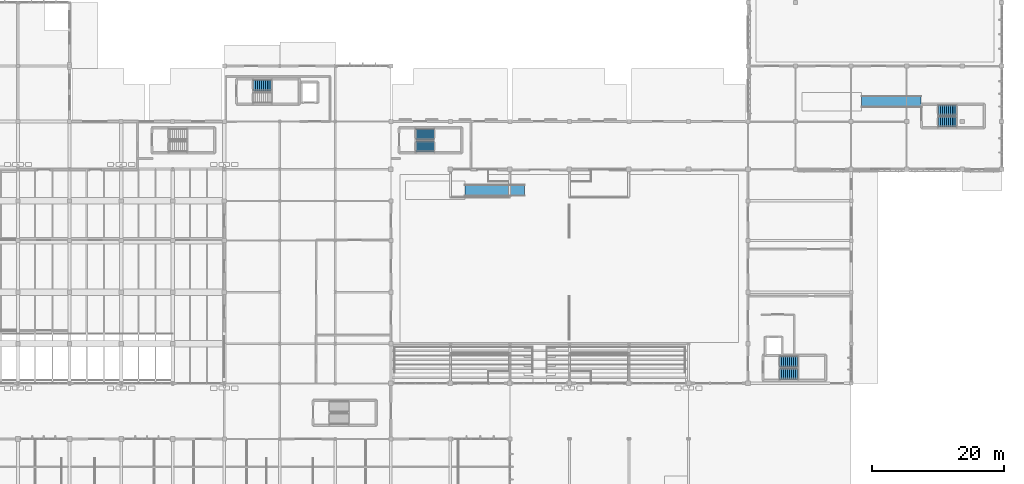
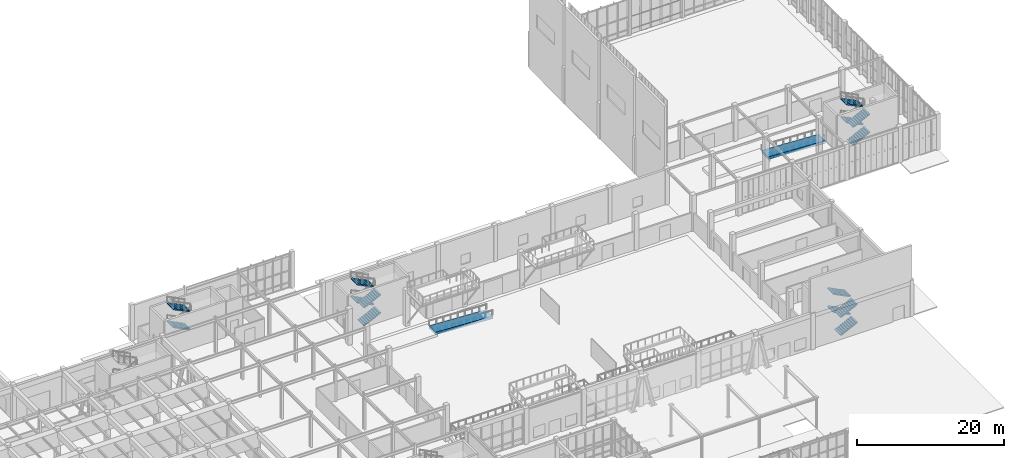
# One storey, part 85 of 110: 14 stair flights, 2 ramp flights, 6 elements without a shape of their own.
"""IFC4 building model written with IfcOpenShell, lengths in metres."""

from ifc_helpers import new_model, si_unit, direction, frame, origin, place, context, subcontext, project, spatial, polyline, outline, extrude, material, layer, layer_set, type_object, element, aggregate, save


model = new_model("IFC4")

# Units and contexts
model_context = context("Model", 3, precision=1e-05, world=origin(), true_north=direction((0.0, 1.0)))
body_context = subcontext(model_context, "Body", "Model", "MODEL_VIEW")
ifc_project = project(units=[si_unit("LENGTHUNIT", "METRE"), si_unit("AREAUNIT", "SQUARE_METRE"), si_unit("VOLUMEUNIT", "CUBIC_METRE"), si_unit("PLANEANGLEUNIT", "RADIAN"), si_unit("MASSUNIT", "GRAM", prefix="KILO")], contexts=[model_context])

# Site, building, storey
site_placement = place(None, origin())
site = spatial("IfcSite", under=ifc_project, at=site_placement, CompositionType="ELEMENT")
building_placement = place(site_placement, origin())
building = spatial("IfcBuilding", under=site, at=building_placement, Name="Tizgana Railside Sports Hall", CompositionType="ELEMENT")
storey_placement = place(building_placement, origin())
storey = spatial("IfcBuildingStorey", under=building, at=storey_placement, Name="L00", CompositionType="ELEMENT", Elevation=0.0)

# Stair, stair flights
ifc_material = material(Name="Concrete C35/45", Category="concrete")
stair_type_1 = type_object("IfcStairType", Name="Core Protected Stair 1500", PredefinedType="HALF_TURN_STAIR", material=ifc_material)
stair_1_placement = place(storey_placement, origin())
stair_1 = element("IfcStair", 1, at=stair_1_placement, inside=storey, type_object=stair_type_1, Name="L00 Core Stair ST-05", PredefinedType="HALF_TURN_STAIR")
stair_flight_type_1 = type_object("IfcStairFlightType", Name="Core Stair Flight 1500", PredefinedType="STRAIGHT", material=ifc_material)
stair_flight_1_placement = place(storey_placement, frame((138.60009765625, 42.22509765625, 0.0), z_axis=(0.0, 0.0, 1.0), x_axis=(1.0, 0.0, 0.0)))
stair_flight_1 = element("IfcStairFlight", 2, at=stair_flight_1_placement, type_object=stair_flight_type_1, Name="ST-05 flight 1", NumberOfRisers=10, NumberOfTreads=9, PredefinedType="STRAIGHT", RiserHeight=0.15, TreadLength=0.3, context=body_context, shape_type="SweptSolid", body=[
    extrude(outline(polyline([(0.0, 0.0), (0.0, 0.14990234375), (0.300048828125, 0.14990234375), (0.300048828125, 0.300048828125), (0.60009765625, 0.300048828125), (0.60009765625, 0.449951171875), (0.89990234375, 0.449951171875), (0.89990234375, 0.60009765625), (1.199951171875, 0.60009765625), (1.199951171875, 0.75), (1.5, 0.75), (1.5, 0.89990234375), (1.800048828125, 0.89990234375), (1.800048828125, 1.050048828125), (2.10009765625, 1.050048828125), (2.10009765625, 1.199951171875), (2.39990234375, 1.199951171875), (2.39990234375, 1.35009765625), (2.699951171875, 1.35009765625), (2.699951171875, 1.5), (2.699951171875, 1.182373046875), (0.335205078125, 0.0), (0.0, 0.0)])), frame((0.0, 0.824951171875, 0.0), z_axis=(0.0, -1.0, 0.0), x_axis=(1.0, 0.0, 0.0)), (0.0, 0.0, 1.0), 1.64990234375),
])
stair_flight_2_placement = place(storey_placement, frame((141.300048828125, 44.074951171875, 1.5), z_axis=(0.0, 0.0, 1.0), x_axis=(-1.0, 0.0, 0.0)))
stair_flight_2 = element("IfcStairFlight", 3, at=stair_flight_2_placement, type_object=stair_flight_type_1, Name="ST-05 flight 2", NumberOfRisers=10, NumberOfTreads=9, PredefinedType="STRAIGHT", RiserHeight=0.15, TreadLength=0.3, context=body_context, shape_type="SweptSolid", body=[
    extrude(outline(polyline([(0.0, 0.0), (0.0, 0.14990234375), (0.300048828125, 0.14990234375), (0.300048828125, 0.300048828125), (0.60009765625, 0.300048828125), (0.60009765625, 0.449951171875), (0.89990234375, 0.449951171875), (0.89990234375, 0.60009765625), (1.199951171875, 0.60009765625), (1.199951171875, 0.75), (1.5, 0.75), (1.5, 0.89990234375), (1.800048828125, 0.89990234375), (1.800048828125, 1.050048828125), (2.10009765625, 1.050048828125), (2.10009765625, 1.199951171875), (2.39990234375, 1.199951171875), (2.39990234375, 1.35009765625), (2.699951171875, 1.35009765625), (2.699951171875, 1.5), (2.699951171875, 1.182373046875), (0.335205078125, 0.0), (0.0, 0.0)])), frame((0.0, 0.824951171875, 0.0), z_axis=(0.0, -1.0, 0.0), x_axis=(1.0, 0.0, 0.0)), (0.0, 0.0, 1.0), 1.64990234375),
])
stair_flight_3_placement = place(storey_placement, frame((138.60009765625, 42.22509765625, 3.0), z_axis=(0.0, 0.0, 1.0), x_axis=(1.0, 0.0, 0.0)))
stair_flight_3 = element("IfcStairFlight", 4, at=stair_flight_3_placement, type_object=stair_flight_type_1, Name="ST-05 flight 3", NumberOfRisers=10, NumberOfTreads=9, PredefinedType="STRAIGHT", RiserHeight=0.15, TreadLength=0.3, context=body_context, shape_type="SweptSolid", body=[
    extrude(outline(polyline([(0.0, 0.0), (0.0, 0.14990234375), (0.300048828125, 0.14990234375), (0.300048828125, 0.300048828125), (0.60009765625, 0.300048828125), (0.60009765625, 0.449951171875), (0.89990234375, 0.449951171875), (0.89990234375, 0.60009765625), (1.199951171875, 0.60009765625), (1.199951171875, 0.75), (1.5, 0.75), (1.5, 0.89990234375), (1.800048828125, 0.89990234375), (1.800048828125, 1.050048828125), (2.10009765625, 1.050048828125), (2.10009765625, 1.199951171875), (2.39990234375, 1.199951171875), (2.39990234375, 1.35009765625), (2.699951171875, 1.35009765625), (2.699951171875, 1.5), (2.699951171875, 1.182373046875), (0.335205078125, 0.0), (0.0, 0.0)])), frame((0.0, 0.824951171875, 0.0), z_axis=(0.0, -1.0, 0.0), x_axis=(1.0, 0.0, 0.0)), (0.0, 0.0, 1.0), 1.64990234375),
])
stair_flight_4_placement = place(storey_placement, frame((141.300048828125, 44.074951171875, 4.5), z_axis=(0.0, 0.0, 1.0), x_axis=(-1.0, 0.0, 0.0)))
stair_flight_4 = element("IfcStairFlight", 5, at=stair_flight_4_placement, type_object=stair_flight_type_1, Name="ST-05 flight 4", NumberOfRisers=10, NumberOfTreads=9, PredefinedType="STRAIGHT", RiserHeight=0.15, TreadLength=0.3, context=body_context, shape_type="SweptSolid", body=[
    extrude(outline(polyline([(0.0, 0.0), (0.0, 0.14990234375), (0.300048828125, 0.14990234375), (0.300048828125, 0.300048828125), (0.60009765625, 0.300048828125), (0.60009765625, 0.449951171875), (0.89990234375, 0.449951171875), (0.89990234375, 0.60009765625), (1.199951171875, 0.60009765625), (1.199951171875, 0.75), (1.5, 0.75), (1.5, 0.89990234375), (1.800048828125, 0.89990234375), (1.800048828125, 1.050048828125), (2.10009765625, 1.050048828125), (2.10009765625, 1.199951171875), (2.39990234375, 1.199951171875), (2.39990234375, 1.35009765625), (2.699951171875, 1.35009765625), (2.699951171875, 1.5), (2.699951171875, 1.182373046875), (0.335205078125, 0.0), (0.0, 0.0)])), frame((0.0, 0.824951171875, 0.0), z_axis=(0.0, -1.0, 0.0), x_axis=(1.0, 0.0, 0.0)), (0.0, 0.0, 1.0), 1.64990234375),
])
aggregate(stair_1, [stair_flight_1, stair_flight_2, stair_flight_3, stair_flight_4])

stair_2_placement = place(storey_placement, origin())
stair_2 = element("IfcStair", 6, at=stair_2_placement, inside=storey, type_object=stair_type_1, Name="L00 Core Stair ST-09", PredefinedType="HALF_TURN_STAIR")
stair_flight_5_placement = place(storey_placement, frame((162.60009765625, 80.375, 0.0), z_axis=(0.0, 0.0, 1.0), x_axis=(1.0, 0.0, 0.0)))
stair_flight_5 = element("IfcStairFlight", 7, at=stair_flight_5_placement, type_object=stair_flight_type_1, Name="ST-09 flight 1", NumberOfRisers=10, NumberOfTreads=9, PredefinedType="STRAIGHT", RiserHeight=0.15, TreadLength=0.3, context=body_context, shape_type="SweptSolid", body=[
    extrude(outline(polyline([(0.0, 0.0), (0.0, 0.14990234375), (0.300048828125, 0.14990234375), (0.300048828125, 0.300048828125), (0.60009765625, 0.300048828125), (0.60009765625, 0.449951171875), (0.89990234375, 0.449951171875), (0.89990234375, 0.60009765625), (1.199951171875, 0.60009765625), (1.199951171875, 0.75), (1.5, 0.75), (1.5, 0.89990234375), (1.800048828125, 0.89990234375), (1.800048828125, 1.050048828125), (2.10009765625, 1.050048828125), (2.10009765625, 1.199951171875), (2.39990234375, 1.199951171875), (2.39990234375, 1.35009765625), (2.699951171875, 1.35009765625), (2.699951171875, 1.5), (2.699951171875, 1.182373046875), (0.335205078125, 0.0), (0.0, 0.0)])), frame((0.0, 0.77490234375, 0.0), z_axis=(0.0, -1.0, 0.0), x_axis=(1.0, 0.0, 0.0)), (0.0, 0.0, 1.0), 1.550048828125),
])
stair_flight_6_placement = place(storey_placement, frame((165.300048828125, 82.125, 1.5), z_axis=(0.0, 0.0, 1.0), x_axis=(-1.0, 0.0, 0.0)))
stair_flight_6 = element("IfcStairFlight", 8, at=stair_flight_6_placement, type_object=stair_flight_type_1, Name="ST-09 flight 2", NumberOfRisers=10, NumberOfTreads=9, PredefinedType="STRAIGHT", RiserHeight=0.15, TreadLength=0.3, context=body_context, shape_type="SweptSolid", body=[
    extrude(outline(polyline([(0.0, 0.0), (0.0, 0.14990234375), (0.300048828125, 0.14990234375), (0.300048828125, 0.300048828125), (0.60009765625, 0.300048828125), (0.60009765625, 0.449951171875), (0.89990234375, 0.449951171875), (0.89990234375, 0.60009765625), (1.199951171875, 0.60009765625), (1.199951171875, 0.75), (1.5, 0.75), (1.5, 0.89990234375), (1.800048828125, 0.89990234375), (1.800048828125, 1.050048828125), (2.10009765625, 1.050048828125), (2.10009765625, 1.199951171875), (2.39990234375, 1.199951171875), (2.39990234375, 1.35009765625), (2.699951171875, 1.35009765625), (2.699951171875, 1.5), (2.699951171875, 1.182373046875), (0.335205078125, 0.0), (0.0, 0.0)])), frame((0.0, 0.77490234375, 0.0), z_axis=(0.0, -1.0, 0.0), x_axis=(1.0, 0.0, 0.0)), (0.0, 0.0, 1.0), 1.550048828125),
])
stair_flight_7_placement = place(storey_placement, frame((162.60009765625, 80.375, 3.0), z_axis=(0.0, 0.0, 1.0), x_axis=(1.0, 0.0, 0.0)))
stair_flight_7 = element("IfcStairFlight", 9, at=stair_flight_7_placement, type_object=stair_flight_type_1, Name="ST-09 flight 3", NumberOfRisers=10, NumberOfTreads=9, PredefinedType="STRAIGHT", RiserHeight=0.15, TreadLength=0.3, context=body_context, shape_type="SweptSolid", body=[
    extrude(outline(polyline([(0.0, 0.0), (0.0, 0.14990234375), (0.300048828125, 0.14990234375), (0.300048828125, 0.300048828125), (0.60009765625, 0.300048828125), (0.60009765625, 0.449951171875), (0.89990234375, 0.449951171875), (0.89990234375, 0.60009765625), (1.199951171875, 0.60009765625), (1.199951171875, 0.75), (1.5, 0.75), (1.5, 0.89990234375), (1.800048828125, 0.89990234375), (1.800048828125, 1.050048828125), (2.10009765625, 1.050048828125), (2.10009765625, 1.199951171875), (2.39990234375, 1.199951171875), (2.39990234375, 1.35009765625), (2.699951171875, 1.35009765625), (2.699951171875, 1.5), (2.699951171875, 1.182373046875), (0.335205078125, 0.0), (0.0, 0.0)])), frame((0.0, 0.77490234375, 0.0), z_axis=(0.0, -1.0, 0.0), x_axis=(1.0, 0.0, 0.0)), (0.0, 0.0, 1.0), 1.550048828125),
])
stair_flight_8_placement = place(storey_placement, frame((165.300048828125, 82.125, 4.5), z_axis=(0.0, 0.0, 1.0), x_axis=(-1.0, 0.0, 0.0)))
stair_flight_8 = element("IfcStairFlight", 10, at=stair_flight_8_placement, type_object=stair_flight_type_1, Name="ST-09 flight 4", NumberOfRisers=10, NumberOfTreads=9, PredefinedType="STRAIGHT", RiserHeight=0.15, TreadLength=0.3, context=body_context, shape_type="SweptSolid", body=[
    extrude(outline(polyline([(0.0, 0.0), (0.0, 0.14990234375), (0.300048828125, 0.14990234375), (0.300048828125, 0.300048828125), (0.60009765625, 0.300048828125), (0.60009765625, 0.449951171875), (0.89990234375, 0.449951171875), (0.89990234375, 0.60009765625), (1.199951171875, 0.60009765625), (1.199951171875, 0.75), (1.5, 0.75), (1.5, 0.89990234375), (1.800048828125, 0.89990234375), (1.800048828125, 1.050048828125), (2.10009765625, 1.050048828125), (2.10009765625, 1.199951171875), (2.39990234375, 1.199951171875), (2.39990234375, 1.35009765625), (2.699951171875, 1.35009765625), (2.699951171875, 1.5), (2.699951171875, 1.182373046875), (0.335205078125, 0.0), (0.0, 0.0)])), frame((0.0, 0.77490234375, 0.0), z_axis=(0.0, -1.0, 0.0), x_axis=(1.0, 0.0, 0.0)), (0.0, 0.0, 1.0), 1.550048828125),
])
aggregate(stair_2, [stair_flight_5, stair_flight_6, stair_flight_7, stair_flight_8])

stair_type_2 = type_object("IfcStairType", Name="Concourse Feature Stair 1800", PredefinedType="HALF_TURN_STAIR", material=ifc_material)
stair_3_placement = place(storey_placement, origin())
stair_3 = element("IfcStair", 11, at=stair_3_placement, inside=storey, type_object=stair_type_2, Name="L00 Core Stair ST-04", PredefinedType="HALF_TURN_STAIR")
stair_flight_type_2 = type_object("IfcStairFlightType", Name="Feature Stair Flight 1800", PredefinedType="STRAIGHT", material=ifc_material)
stair_flight_9_placement = place(storey_placement, frame((61.699951171875, 85.875, 1.5), z_axis=(0.0, 0.0, 1.0), x_axis=(-1.0, 0.0, 0.0)))
stair_flight_9 = element("IfcStairFlight", 12, at=stair_flight_9_placement, type_object=stair_flight_type_2, Name="ST-04 flight 2", NumberOfRisers=10, NumberOfTreads=9, PredefinedType="STRAIGHT", RiserHeight=0.15, TreadLength=0.3, context=body_context, shape_type="SweptSolid", body=[
    extrude(outline(polyline([(0.0, 0.0), (0.0, 0.14990234375), (0.300048828125, 0.14990234375), (0.300048828125, 0.300048828125), (0.60009765625, 0.300048828125), (0.60009765625, 0.449951171875), (0.89990234375, 0.449951171875), (0.89990234375, 0.60009765625), (1.199951171875, 0.60009765625), (1.199951171875, 0.75), (1.5, 0.75), (1.5, 0.89990234375), (1.800048828125, 0.89990234375), (1.800048828125, 1.050048828125), (2.10009765625, 1.050048828125), (2.10009765625, 1.199951171875), (2.39990234375, 1.199951171875), (2.39990234375, 1.35009765625), (2.699951171875, 1.35009765625), (2.699951171875, 1.5), (2.699951171875, 1.182373046875), (0.335205078125, 0.0), (0.0, 0.0)])), frame((0.0, 0.824951171875, 0.0), z_axis=(0.0, -1.0, 0.0), x_axis=(1.0, 0.0, 0.0)), (0.0, 0.0, 1.0), 1.64990234375),
])
stair_flight_10_placement = place(storey_placement, frame((61.699951171875, 85.875, 4.5), z_axis=(0.0, 0.0, 1.0), x_axis=(-1.0, 0.0, 0.0)))
stair_flight_10 = element("IfcStairFlight", 13, at=stair_flight_10_placement, type_object=stair_flight_type_2, Name="ST-04 flight 4", NumberOfRisers=10, NumberOfTreads=9, PredefinedType="STRAIGHT", RiserHeight=0.15, TreadLength=0.3, context=body_context, shape_type="SweptSolid", body=[
    extrude(outline(polyline([(0.0, 0.0), (0.0, 0.14990234375), (0.300048828125, 0.14990234375), (0.300048828125, 0.300048828125), (0.60009765625, 0.300048828125), (0.60009765625, 0.449951171875), (0.89990234375, 0.449951171875), (0.89990234375, 0.60009765625), (1.199951171875, 0.60009765625), (1.199951171875, 0.75), (1.5, 0.75), (1.5, 0.89990234375), (1.800048828125, 0.89990234375), (1.800048828125, 1.050048828125), (2.10009765625, 1.050048828125), (2.10009765625, 1.199951171875), (2.39990234375, 1.199951171875), (2.39990234375, 1.35009765625), (2.699951171875, 1.35009765625), (2.699951171875, 1.5), (2.699951171875, 1.182373046875), (0.335205078125, 0.0), (0.0, 0.0)])), frame((0.0, 0.824951171875, 0.0), z_axis=(0.0, -1.0, 0.0), x_axis=(1.0, 0.0, 0.0)), (0.0, 0.0, 1.0), 1.64990234375),
])
aggregate(stair_3, [stair_flight_9, stair_flight_10])

stair_4_placement = place(storey_placement, origin())
stair_4 = element("IfcStair", 14, at=stair_4_placement, inside=storey, type_object=stair_type_2, Name="L00 Core Stair ST-08", PredefinedType="HALF_TURN_STAIR")
stair_flight_11_placement = place(storey_placement, frame((83.60009765625, 76.625, 0.0), z_axis=(0.0, 0.0, 1.0), x_axis=(1.0, 0.0, 0.0)))
stair_flight_11 = element("IfcStairFlight", 15, at=stair_flight_11_placement, type_object=stair_flight_type_2, Name="ST-08 flight 1", NumberOfRisers=10, NumberOfTreads=9, PredefinedType="STRAIGHT", RiserHeight=0.15, TreadLength=0.3, context=body_context, shape_type="SweptSolid", body=[
    extrude(outline(polyline([(0.0, 0.0), (0.0, 0.14990234375), (0.300048828125, 0.14990234375), (0.300048828125, 0.300048828125), (0.60009765625, 0.300048828125), (0.60009765625, 0.449951171875), (0.89990234375, 0.449951171875), (0.89990234375, 0.60009765625), (1.199951171875, 0.60009765625), (1.199951171875, 0.75), (1.5, 0.75), (1.5, 0.89990234375), (1.800048828125, 0.89990234375), (1.800048828125, 1.050048828125), (2.10009765625, 1.050048828125), (2.10009765625, 1.199951171875), (2.39990234375, 1.199951171875), (2.39990234375, 1.35009765625), (2.699951171875, 1.35009765625), (2.699951171875, 1.5), (2.699951171875, 1.182373046875), (0.335205078125, 0.0), (0.0, 0.0)])), frame((0.0, 0.824951171875, 0.0), z_axis=(0.0, -1.0, 0.0), x_axis=(1.0, 0.0, 0.0)), (0.0, 0.0, 1.0), 1.64990234375),
])
stair_flight_12_placement = place(storey_placement, frame((86.300048828125, 78.47509765625, 1.5), z_axis=(0.0, 0.0, 1.0), x_axis=(-1.0, 0.0, 0.0)))
stair_flight_12 = element("IfcStairFlight", 16, at=stair_flight_12_placement, type_object=stair_flight_type_2, Name="ST-08 flight 2", NumberOfRisers=10, NumberOfTreads=9, PredefinedType="STRAIGHT", RiserHeight=0.15, TreadLength=0.3, context=body_context, shape_type="SweptSolid", body=[
    extrude(outline(polyline([(0.0, 0.0), (0.0, 0.14990234375), (0.300048828125, 0.14990234375), (0.300048828125, 0.300048828125), (0.60009765625, 0.300048828125), (0.60009765625, 0.449951171875), (0.89990234375, 0.449951171875), (0.89990234375, 0.60009765625), (1.199951171875, 0.60009765625), (1.199951171875, 0.75), (1.5, 0.75), (1.5, 0.89990234375), (1.800048828125, 0.89990234375), (1.800048828125, 1.050048828125), (2.10009765625, 1.050048828125), (2.10009765625, 1.199951171875), (2.39990234375, 1.199951171875), (2.39990234375, 1.35009765625), (2.699951171875, 1.35009765625), (2.699951171875, 1.5), (2.699951171875, 1.182373046875), (0.335205078125, 0.0), (0.0, 0.0)])), frame((0.0, 0.824951171875, 0.0), z_axis=(0.0, -1.0, 0.0), x_axis=(1.0, 0.0, 0.0)), (0.0, 0.0, 1.0), 1.64990234375),
])
stair_flight_13_placement = place(storey_placement, frame((83.60009765625, 76.625, 3.0), z_axis=(0.0, 0.0, 1.0), x_axis=(1.0, 0.0, 0.0)))
stair_flight_13 = element("IfcStairFlight", 17, at=stair_flight_13_placement, type_object=stair_flight_type_2, Name="ST-08 flight 3", NumberOfRisers=10, NumberOfTreads=9, PredefinedType="STRAIGHT", RiserHeight=0.15, TreadLength=0.3, context=body_context, shape_type="SweptSolid", body=[
    extrude(outline(polyline([(0.0, 0.0), (0.0, 0.14990234375), (0.300048828125, 0.14990234375), (0.300048828125, 0.300048828125), (0.60009765625, 0.300048828125), (0.60009765625, 0.449951171875), (0.89990234375, 0.449951171875), (0.89990234375, 0.60009765625), (1.199951171875, 0.60009765625), (1.199951171875, 0.75), (1.5, 0.75), (1.5, 0.89990234375), (1.800048828125, 0.89990234375), (1.800048828125, 1.050048828125), (2.10009765625, 1.050048828125), (2.10009765625, 1.199951171875), (2.39990234375, 1.199951171875), (2.39990234375, 1.35009765625), (2.699951171875, 1.35009765625), (2.699951171875, 1.5), (2.699951171875, 1.182373046875), (0.335205078125, 0.0), (0.0, 0.0)])), frame((0.0, 0.824951171875, 0.0), z_axis=(0.0, -1.0, 0.0), x_axis=(1.0, 0.0, 0.0)), (0.0, 0.0, 1.0), 1.64990234375),
])
stair_flight_14_placement = place(storey_placement, frame((86.300048828125, 78.47509765625, 4.5), z_axis=(0.0, 0.0, 1.0), x_axis=(-1.0, 0.0, 0.0)))
stair_flight_14 = element("IfcStairFlight", 18, at=stair_flight_14_placement, type_object=stair_flight_type_2, Name="ST-08 flight 4", NumberOfRisers=10, NumberOfTreads=9, PredefinedType="STRAIGHT", RiserHeight=0.15, TreadLength=0.3, context=body_context, shape_type="SweptSolid", body=[
    extrude(outline(polyline([(0.0, 0.0), (0.0, 0.14990234375), (0.300048828125, 0.14990234375), (0.300048828125, 0.300048828125), (0.60009765625, 0.300048828125), (0.60009765625, 0.449951171875), (0.89990234375, 0.449951171875), (0.89990234375, 0.60009765625), (1.199951171875, 0.60009765625), (1.199951171875, 0.75), (1.5, 0.75), (1.5, 0.89990234375), (1.800048828125, 0.89990234375), (1.800048828125, 1.050048828125), (2.10009765625, 1.050048828125), (2.10009765625, 1.199951171875), (2.39990234375, 1.199951171875), (2.39990234375, 1.35009765625), (2.699951171875, 1.35009765625), (2.699951171875, 1.5), (2.699951171875, 1.182373046875), (0.335205078125, 0.0), (0.0, 0.0)])), frame((0.0, 0.824951171875, 0.0), z_axis=(0.0, -1.0, 0.0), x_axis=(1.0, 0.0, 0.0)), (0.0, 0.0, 1.0), 1.64990234375),
])
aggregate(stair_4, [stair_flight_11, stair_flight_12, stair_flight_13, stair_flight_14])

# Ramp, ramp flight
ramp_type = type_object("IfcRampType", Name="Accessible Foyer Ramp 1800", PredefinedType="STRAIGHT_RUN_RAMP", material=ifc_material)
ramp_1_placement = place(storey_placement, origin())
ramp_1 = element("IfcRamp", 19, at=ramp_1_placement, inside=storey, type_object=ramp_type, Name="L00 Accessible Ramp 1", PredefinedType="STRAIGHT_RUN_RAMP")
ifc_layer = layer(ifc_material, 0.219970703125, Name="Concrete C35/45")
ifc_layer_set = layer_set([ifc_layer], Name="Concrete C35/45")
ramp_flight_type = type_object("IfcRampFlightType", Name="Accessible Ramp Flight 1800", PredefinedType="STRAIGHT", material=ifc_layer_set)
ramp_flight_1_placement = place(storey_placement, frame((100.0, 70.0, 0.0), z_axis=(0.0, 0.0, 1.0), x_axis=(-1.0, 0.0, 0.0)))
ramp_flight_1 = element("IfcRampFlight", 20, at=ramp_flight_1_placement, type_object=ramp_flight_type, Name="L00 Accessible Ramp Flight 1", PredefinedType="STRAIGHT", context=body_context, shape_type="SweptSolid", body=[
    extrude(outline(polyline([(0.0, 0.0), (9.0, 0.449951171875), (9.0, 0.0), (0.0, -0.449951171875), (0.0, 0.0)])), frame((0.0, 0.89990234375, 0.0), z_axis=(0.0, -1.0, 0.0), x_axis=(1.0, 0.0, 0.0)), (0.0, 0.0, 1.0), 1.800048828125),
])
aggregate(ramp_1, [ramp_flight_1])

ramp_2_placement = place(storey_placement, origin())
ramp_2 = element("IfcRamp", 21, at=ramp_2_placement, inside=storey, type_object=ramp_type, Name="L00 Accessible Ramp 4", PredefinedType="STRAIGHT_RUN_RAMP")
ramp_flight_2_placement = place(storey_placement, frame((160.0, 83.39990234375, 0.0), z_axis=(0.0, 0.0, 1.0), x_axis=(-1.0, 0.0, 0.0)))
ramp_flight_2 = element("IfcRampFlight", 22, at=ramp_flight_2_placement, type_object=ramp_flight_type, Name="L00 Accessible Ramp Flight 4", PredefinedType="STRAIGHT", context=body_context, shape_type="SweptSolid", body=[
    extrude(outline(polyline([(0.0, 0.0), (9.0, 0.449951171875), (9.0, 0.0), (0.0, -0.449951171875), (0.0, 0.0)])), frame((0.0, 0.89990234375, 0.0), z_axis=(0.0, -1.0, 0.0), x_axis=(1.0, 0.0, 0.0)), (0.0, 0.0, 1.0), 1.800048828125),
])
aggregate(ramp_2, [ramp_flight_2])

save(model, "model.ifc")
